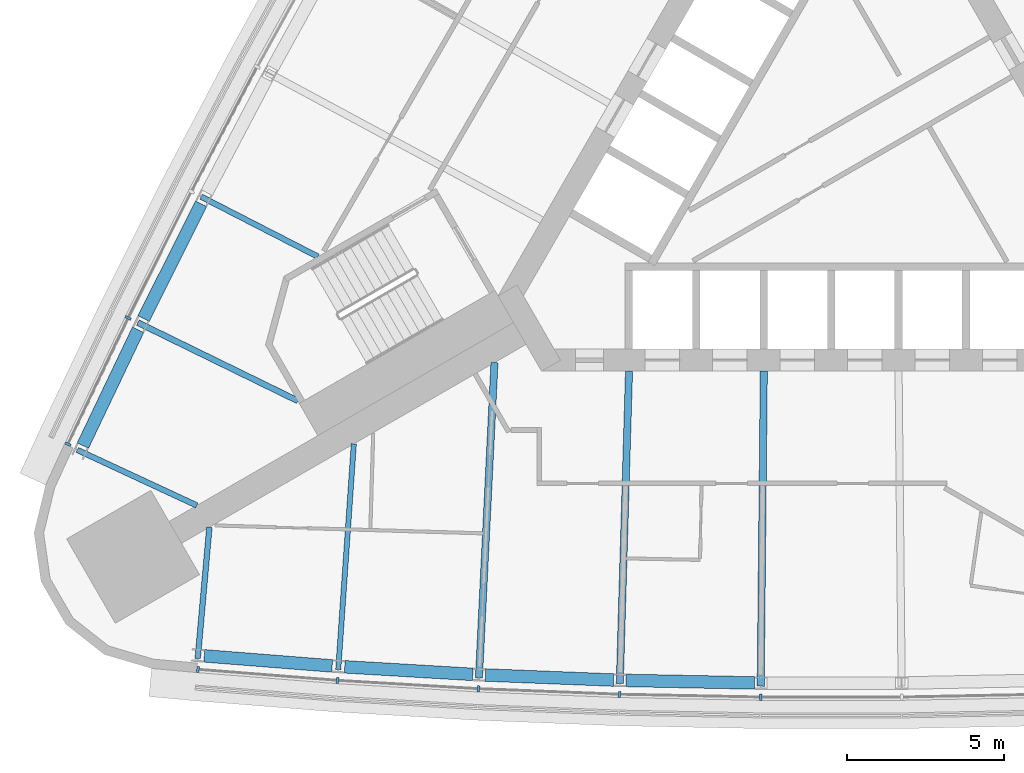
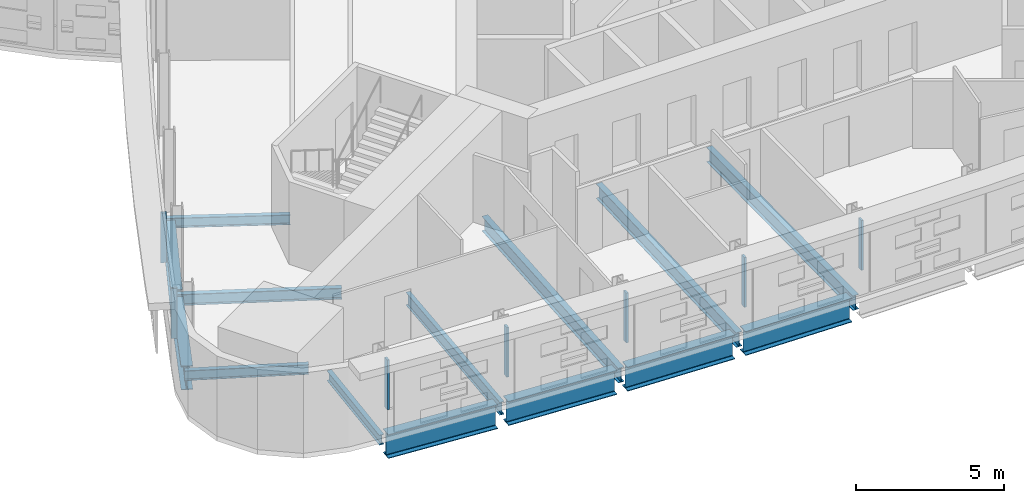
# One storey, part 4 of 16: 14 beams, 7 members, 2 elements without a shape of their own.
"""IFC4 building model written with IfcOpenShell, lengths in metres."""

from ifc_helpers import new_model, si_unit, direction, frame, origin, origin_2d, place, context, subcontext, project, spatial, rectangle, i_section, extrude, material, material_profile, profile_set, type_object, element, aggregate, save


model = new_model("IFC4")

# Units and contexts
model_context = context("Model", 3, precision=1e-05, world=origin(), true_north=direction((0.0, 1.0)))
body_context = subcontext(model_context, "Body", "Model", "MODEL_VIEW")
ifc_project = project(units=[si_unit("LENGTHUNIT", "METRE"), si_unit("AREAUNIT", "SQUARE_METRE"), si_unit("VOLUMEUNIT", "CUBIC_METRE"), si_unit("PLANEANGLEUNIT", "RADIAN"), si_unit("MASSUNIT", "GRAM", prefix="KILO")], contexts=[model_context])

# Site, building, storey
site_placement = place(None, origin())
site = spatial("IfcSite", under=ifc_project, at=site_placement, CompositionType="ELEMENT")
building_placement = place(site_placement, origin())
building = spatial("IfcBuilding", under=site, at=building_placement, Name="Noor Cloister Tower", CompositionType="ELEMENT")
storey_placement = place(building_placement, frame((0.0, 0.0, 91.5)))
storey = spatial("IfcBuildingStorey", under=building, at=storey_placement, Name="L23", CompositionType="ELEMENT", Elevation=91.5)

# Beams
ifc_material_1 = material(Name="Steel ASTM A992 Gr 50", Category="steel")
ifc_material_profile_1 = material_profile(ifc_material_1, i_section(OverallWidth=0.40087890625, OverallDepth=0.98291015625, WebThickness=0.0166015625, FlangeThickness=0.027099609375, FilletRadius=0.030029296875, at=origin_2d()), Name="W1000x296")
ifc_profile_set_1 = profile_set([ifc_material_profile_1], Name="Steel ASTM A992 Gr 50")
beam_type_1 = type_object("IfcBeamType", Name="Belt chord girder W1000x296", PredefinedType="BEAM", material=ifc_profile_set_1)
for number, where, z_axis, x_axis, name in (
    (1, (-20.076171875, -1.593994140625, -0.69140625), (-0.448025614309, -0.894020720634, 0.0), (0.894020720634, -0.448025614309, 0.0), "Spandrel beam NW 08 L23"),
    (2, (-22.083984375, -5.609130859375, -0.69140625), (-0.430341530423, -0.902666143817, 0.0), (0.902666143817, -0.430341530423, 0.0), "Spandrel beam NW 09 L23"),
    (3, (-19.97509765625, -15.999267578125, -0.69140625), (0.996902216322, -0.078650944641, 0.0), (0.078650944641, 0.996902216322, 0.0), "Spandrel beam S 01 L23"),
    (4, (-15.49951171875, -16.348388671875, -0.69140625), (0.998257859765, -0.059002079771, 0.0), (0.059002079771, 0.998257859765, 0.0), "Spandrel beam S 02 L23"),
    (5, (-11.01806640625, -16.609375, -0.69140625), (0.999225288123, -0.039355095916, 0.0), (0.039355095916, 0.999225288123, 0.0), "Spandrel beam S 03 L23"),
):
    element("IfcBeam", number, at=place(storey_placement, frame(where, z_axis=z_axis, x_axis=x_axis)), inside=storey, type_object=beam_type_1, Name=name, PredefinedType="BEAM", context=body_context, shape_type="SweptSolid", body=[
        extrude(i_section(OverallWidth=0.40087890625, OverallDepth=0.98291015625, WebThickness=0.0166015625, FlangeThickness=0.027099609375, FilletRadius=0.030029296875, at=origin_2d()), origin(), (0.0, 0.0, 1.0), 4.088134765625),
    ])
beam_1_placement = place(storey_placement, frame((-6.5322265625, -16.781982421875, -0.69140625), z_axis=(0.999805773471, -0.019708255495, 0.0), x_axis=(0.019708255495, 0.999805773471, 0.0)))
element("IfcBeam", 6, at=beam_1_placement, inside=storey, type_object=beam_type_1, Name="Spandrel beam S 04 L23", PredefinedType="BEAM", context=body_context, shape_type="SweptSolid", body=[
    extrude(i_section(OverallWidth=0.40087890625, OverallDepth=0.98291015625, WebThickness=0.0166015625, FlangeThickness=0.027099609375, FilletRadius=0.030029296875, at=origin_2d()), origin(), (0.0, 0.0, 1.0), 4.087890625),
])

# Curtain wall, members
ifc_material_2 = material(Name="Aluminium 6063-T6 anodised", Category="aluminium")
curtain_wall_type = type_object("IfcCurtainWallType", Name="Ribbon curtain wall, lower tower CW1", PredefinedType="NOTDEFINED", material=ifc_material_2)
curtain_wall_1_placement = place(storey_placement, origin())
curtain_wall_1 = element("IfcCurtainWall", 7, at=curtain_wall_1_placement, inside=storey, type_object=curtain_wall_type, Name="CW1 L23 NW run 2", PredefinedType="NOTDEFINED")
ifc_material_3 = material(Name="Aluminium 6063-T6 anodised", Category="aluminium")
ifc_material_profile_2 = material_profile(ifc_material_3, rectangle(XDim=0.199951171875, YDim=0.080078125, at=origin_2d()), Name="200 x 80 mullion")
ifc_profile_set_2 = profile_set([ifc_material_profile_2], Name="Aluminium 6063-T6 anodised")
member_type = type_object("IfcMemberType", Name="Mullion CW1 80 x 200", PredefinedType="MULLION", material=ifc_profile_set_2)
member_1_placement = place(storey_placement, frame((-22.40185546875, -5.23046875, 1.10009765625), z_axis=(0.0, 0.0, 1.0), x_axis=(0.898389614214, -0.439199386466, 0.0)))
member_1 = element("IfcMember", 8, at=member_1_placement, type_object=member_type, Name="CW1 mullion 4", PredefinedType="MULLION", context=body_context, shape_type="SweptSolid", body=[
    extrude(rectangle(XDim=0.199951171875, YDim=0.080078125, at=origin_2d()), origin(), (0.0, 0.0, 1.0), 2.0498046875),
])
member_2_placement = place(storey_placement, frame((-24.32080078125, -9.25537109375, 1.10009765625), z_axis=(0.0, 0.0, 1.0), x_axis=(0.902668475712, -0.430336639105, 0.0)))
member_2 = element("IfcMember", 9, at=member_2_placement, type_object=member_type, Name="CW1 mullion 5", PredefinedType="MULLION", context=body_context, shape_type="SweptSolid", body=[
    extrude(rectangle(XDim=0.199951171875, YDim=0.080078125, at=origin_2d()), origin(), (0.0, 0.0, 1.0), 2.0498046875),
])
aggregate(curtain_wall_1, [member_1, member_2])

curtain_wall_2_placement = place(storey_placement, origin())
curtain_wall_2 = element("IfcCurtainWall", 10, at=curtain_wall_2_placement, inside=storey, type_object=curtain_wall_type, Name="CW1 L23 S run 3", PredefinedType="NOTDEFINED")
member_3_placement = place(storey_placement, frame((-20.17578125, -16.434814453125, 1.10009765625), z_axis=(0.0, 0.0, 1.0), x_axis=(0.078651776212, 0.996902150714, 0.0)))
member_3 = element("IfcMember", 11, at=member_3_placement, type_object=member_type, Name="CW1 mullion 1", PredefinedType="MULLION", context=body_context, shape_type="SweptSolid", body=[
    extrude(rectangle(XDim=0.199951171875, YDim=0.080078125, at=origin_2d()), origin(), (0.0, 0.0, 1.0), 2.0498046875),
])
member_4_placement = place(storey_placement, frame((-15.730712890625, -16.785400390625, 1.10009765625), z_axis=(0.0, 0.0, 1.0), x_axis=(0.068836981101, 0.997627921639, 0.0)))
member_4 = element("IfcMember", 12, at=member_4_placement, type_object=member_type, Name="CW1 mullion 2", PredefinedType="MULLION", context=body_context, shape_type="SweptSolid", body=[
    extrude(rectangle(XDim=0.199951171875, YDim=0.080078125, at=origin_2d()), origin(), (0.0, 0.0, 1.0), 2.0498046875),
])
member_5_placement = place(storey_placement, frame((-11.240478515625, -17.05078125, 1.10009765625), z_axis=(0.0, 0.0, 1.0), x_axis=(0.049188322705, 0.998789521826, 0.0)))
member_5 = element("IfcMember", 13, at=member_5_placement, type_object=member_type, Name="CW1 mullion 3", PredefinedType="MULLION", context=body_context, shape_type="SweptSolid", body=[
    extrude(rectangle(XDim=0.199951171875, YDim=0.080078125, at=origin_2d()), origin(), (0.0, 0.0, 1.0), 2.0498046875),
])
member_6_placement = place(storey_placement, frame((-6.74609375, -17.227783203125, 1.10009765625), z_axis=(0.0, 0.0, 1.0), x_axis=(0.029520625259, 0.999564171369, 0.0)))
member_6 = element("IfcMember", 14, at=member_6_placement, type_object=member_type, Name="CW1 mullion 4", PredefinedType="MULLION", context=body_context, shape_type="SweptSolid", body=[
    extrude(rectangle(XDim=0.199951171875, YDim=0.080078125, at=origin_2d()), origin(), (0.0, 0.0, 1.0), 2.0498046875),
])
member_7_placement = place(storey_placement, frame((-2.2490234375, -17.31640625, 1.10009765625), z_axis=(0.0, 0.0, 1.0), x_axis=(0.009841473527, 0.999951571527, 0.0)))
member_7 = element("IfcMember", 15, at=member_7_placement, type_object=member_type, Name="CW1 mullion 5", PredefinedType="MULLION", context=body_context, shape_type="SweptSolid", body=[
    extrude(rectangle(XDim=0.199951171875, YDim=0.080078125, at=origin_2d()), origin(), (0.0, 0.0, 1.0), 2.0498046875),
])
aggregate(curtain_wall_2, [member_3, member_4, member_5, member_6, member_7])

# Beams
ifc_material_4 = material(Name="Steel ASTM A992 Gr 50", Category="steel")
ifc_material_profile_3 = material_profile(ifc_material_4, i_section(OverallWidth=0.177978515625, OverallDepth=0.406005859375, WebThickness=0.0078125, FlangeThickness=0.0126953125, FilletRadius=0.01025390625, at=origin_2d()), Name="W410x60")
ifc_profile_set_3 = profile_set([ifc_material_profile_3], Name="Steel ASTM A992 Gr 50")
beam_type_2 = type_object("IfcBeamType", Name="Radial beam W410x60", PredefinedType="BEAM", material=ifc_profile_set_3)
beam_2_placement = place(storey_placement, frame((-20.075927734375, -1.368896484375, -0.403076171875), z_axis=(0.889580472354, -0.456778483739, 0.0), x_axis=(0.456778483739, 0.889580472354, 0.0)))
element("IfcBeam", 16, at=beam_2_placement, inside=storey, type_object=beam_type_2, Name="Radial beam NW 08 L23", PredefinedType="BEAM", context=body_context, shape_type="SweptSolid", body=[
    extrude(i_section(OverallWidth=0.177978515625, OverallDepth=0.406005859375, WebThickness=0.0078125, FlangeThickness=0.0126953125, FilletRadius=0.01025390625, at=origin_2d()), origin(), (0.0, 0.0, 1.0), 4.18505859375),
])
beam_3_placement = place(storey_placement, frame((-24.0205078125, -9.43798828125, -0.403076171875), z_axis=(0.906851874526, -0.421449495989, 0.0), x_axis=(0.421449495989, 0.906851874526, 0.0)))
element("IfcBeam", 17, at=beam_3_placement, inside=storey, type_object=beam_type_2, Name="Radial beam NW 10 L23", PredefinedType="BEAM", context=body_context, shape_type="SweptSolid", body=[
    extrude(i_section(OverallWidth=0.177978515625, OverallDepth=0.406005859375, WebThickness=0.0078125, FlangeThickness=0.0126953125, FilletRadius=0.01025390625, at=origin_2d()), origin(), (0.0, 0.0, 1.0), 4.19921875),
])
beam_4_placement = place(storey_placement, frame((-20.183837890625, -16.08349609375, -0.403076171875), z_axis=(0.088480829531, 0.99607787989, 0.0), x_axis=(-0.99607787989, 0.088480829531, 0.0)))
element("IfcBeam", 18, at=beam_4_placement, inside=storey, type_object=beam_type_2, Name="Radial beam S 01 L23", PredefinedType="BEAM", context=body_context, shape_type="SweptSolid", body=[
    extrude(i_section(OverallWidth=0.177978515625, OverallDepth=0.406005859375, WebThickness=0.0078125, FlangeThickness=0.0126953125, FilletRadius=0.01025390625, at=origin_2d()), origin(), (0.0, 0.0, 1.0), 4.199462890625),
])
ifc_material_5 = material(Name="Steel ASTM A992 Gr 50", Category="steel")
ifc_material_profile_4 = material_profile(ifc_material_5, i_section(OverallWidth=0.19091796875, OverallDepth=0.45703125, WebThickness=0.009033203125, FlangeThickness=0.014404296875, FilletRadius=0.01025390625, at=origin_2d()), Name="W460x74")
ifc_profile_set_4 = profile_set([ifc_material_profile_4], Name="Steel ASTM A992 Gr 50")
beam_type_3 = type_object("IfcBeamType", Name="Radial beam W460x74", PredefinedType="BEAM", material=ifc_profile_set_4)
beam_5_placement = place(storey_placement, frame((-22.087890625, -5.384033203125, -0.428466796875), z_axis=(0.898398339132, -0.439181539052, 0.0), x_axis=(0.439181539052, 0.898398339132, 0.0)))
element("IfcBeam", 19, at=beam_5_placement, inside=storey, type_object=beam_type_3, Name="Radial beam NW 09 L23", PredefinedType="BEAM", context=body_context, shape_type="SweptSolid", body=[
    extrude(i_section(OverallWidth=0.19091796875, OverallDepth=0.45703125, WebThickness=0.009033203125, FlangeThickness=0.014404296875, FilletRadius=0.01025390625, at=origin_2d()), origin(), (0.0, 0.0, 1.0), 5.666259765625),
])
ifc_material_6 = material(Name="Steel ASTM A992 Gr 50", Category="steel")
ifc_material_profile_5 = material_profile(ifc_material_6, i_section(OverallWidth=0.166015625, OverallDepth=0.528076171875, WebThickness=0.009765625, FlangeThickness=0.013671875, FilletRadius=0.0126953125, at=origin_2d()), Name="W530x74")
ifc_profile_set_5 = profile_set([ifc_material_profile_5], Name="Steel ASTM A992 Gr 50")
beam_type_4 = type_object("IfcBeamType", Name="Radial beam W530x74", PredefinedType="BEAM", material=ifc_profile_set_5)
beam_6_placement = place(storey_placement, frame((-15.70654296875, -16.436767578125, -0.464111328125), z_axis=(0.06883811579, 0.997627843344, 0.0), x_axis=(-0.997627843344, 0.06883811579, 0.0)))
element("IfcBeam", 20, at=beam_6_placement, inside=storey, type_object=beam_type_4, Name="Radial beam S 02 L23", PredefinedType="BEAM", context=body_context, shape_type="SweptSolid", body=[
    extrude(i_section(OverallWidth=0.166015625, OverallDepth=0.528076171875, WebThickness=0.009765625, FlangeThickness=0.013671875, FilletRadius=0.0126953125, at=origin_2d()), origin(), (0.0, 0.0, 1.0), 7.210205078125),
])
ifc_material_7 = material(Name="Steel ASTM A992 Gr 50", Category="steel")
ifc_material_profile_6 = material_profile(ifc_material_7, i_section(OverallWidth=0.22802734375, OverallDepth=0.60205078125, WebThickness=0.010498046875, FlangeThickness=0.014892578125, FilletRadius=0.0126953125, at=origin_2d()), Name="W610x101")
ifc_profile_set_6 = profile_set([ifc_material_profile_6], Name="Steel ASTM A992 Gr 50")
beam_type_5 = type_object("IfcBeamType", Name="Radial beam W610x101", PredefinedType="BEAM", material=ifc_profile_set_6)
beam_7_placement = place(storey_placement, frame((-11.223388671875, -16.701904296875, -0.5009765625), z_axis=(0.049201541775, 0.998788870726, 0.0), x_axis=(-0.998788870726, 0.049201541775, 0.0)))
element("IfcBeam", 21, at=beam_7_placement, inside=storey, type_object=beam_type_5, Name="Radial beam S 03 L23", PredefinedType="BEAM", context=body_context, shape_type="SweptSolid", body=[
    extrude(i_section(OverallWidth=0.22802734375, OverallDepth=0.60205078125, WebThickness=0.010498046875, FlangeThickness=0.014892578125, FilletRadius=0.0126953125, at=origin_2d()), origin(), (0.0, 0.0, 1.0), 10.05810546875),
])
beam_8_placement = place(storey_placement, frame((-6.73583984375, -16.878662109375, -0.5009765625), z_axis=(0.029528056482, 0.999563951871, 0.0), x_axis=(-0.999563951871, 0.029528056482, 0.0)))
element("IfcBeam", 22, at=beam_8_placement, inside=storey, type_object=beam_type_5, Name="Radial beam S 04 L23", PredefinedType="BEAM", context=body_context, shape_type="SweptSolid", body=[
    extrude(i_section(OverallWidth=0.22802734375, OverallDepth=0.60205078125, WebThickness=0.010498046875, FlangeThickness=0.014892578125, FilletRadius=0.0126953125, at=origin_2d()), origin(), (0.0, 0.0, 1.0), 9.954833984375),
])
beam_9_placement = place(storey_placement, frame((-2.24560546875, -16.967041015625, -0.5009765625), z_axis=(0.009848983597, 0.999951497585, 0.0), x_axis=(-0.999951497585, 0.009848983597, 0.0)))
element("IfcBeam", 23, at=beam_9_placement, inside=storey, type_object=beam_type_5, Name="Radial beam S 05 L23", PredefinedType="BEAM", context=body_context, shape_type="SweptSolid", body=[
    extrude(i_section(OverallWidth=0.22802734375, OverallDepth=0.60205078125, WebThickness=0.010498046875, FlangeThickness=0.014892578125, FilletRadius=0.0126953125, at=origin_2d()), origin(), (0.0, 0.0, 1.0), 10.039306640625),
])

save(model, "model.ifc")
